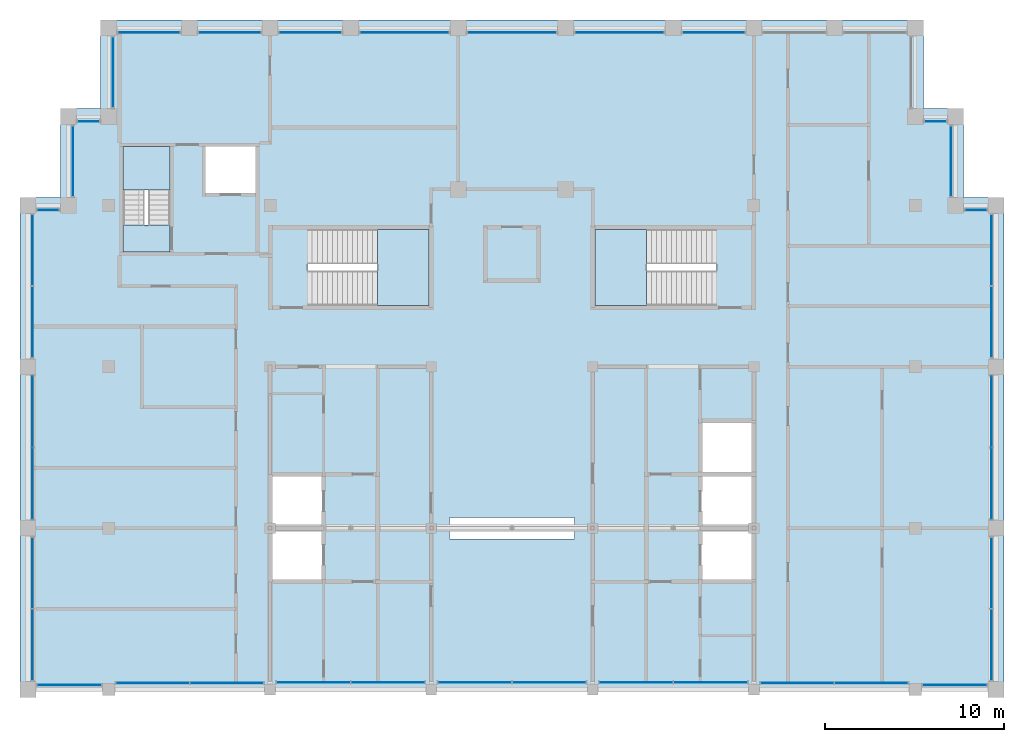
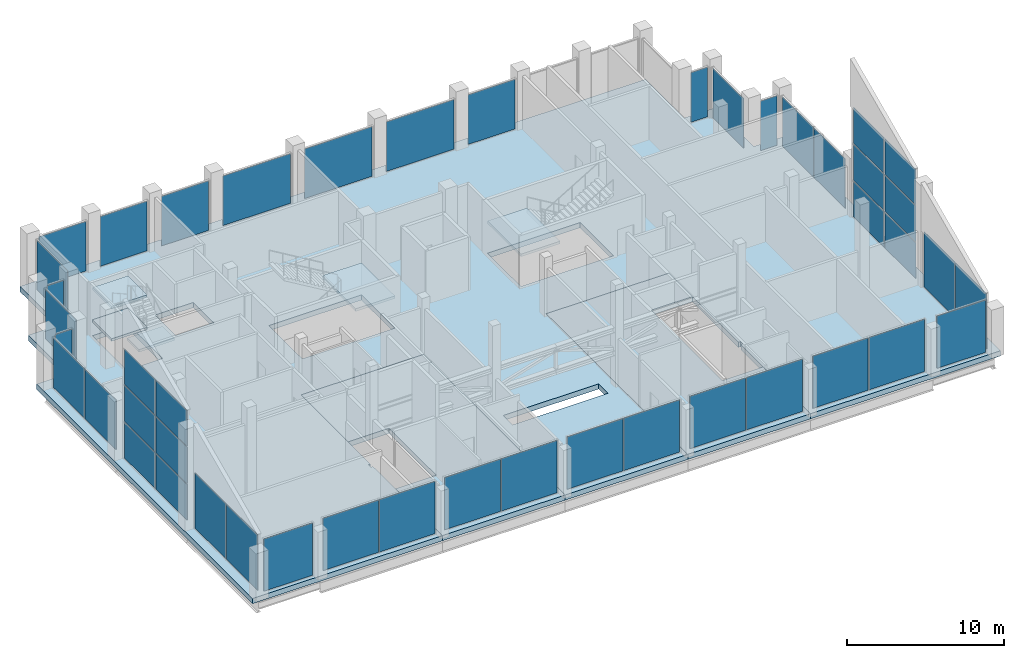
# One storey, part 9 of 14: 46 plates, 8 slabs, 30 elements without a shape of their own.
"""IFC4 building model written with IfcOpenShell, lengths in metres."""

from ifc_helpers import new_model, si_unit, direction, frame, origin, origin_2d, place, context, subcontext, project, spatial, polyline, rectangle, outline, extrude, material, layer, layer_set, type_object, element, aggregate, save


model = new_model("IFC4")

# Units and contexts
model_context = context("Model", 3, precision=1e-05, world=origin(), true_north=direction((0.0, 1.0)))
body_context = subcontext(model_context, "Body", "Model", "MODEL_VIEW")
ifc_project = project(units=[si_unit("LENGTHUNIT", "METRE"), si_unit("AREAUNIT", "SQUARE_METRE"), si_unit("VOLUMEUNIT", "CUBIC_METRE"), si_unit("PLANEANGLEUNIT", "RADIAN"), si_unit("MASSUNIT", "GRAM", prefix="KILO")], contexts=[model_context])

# Site, building, storey
site_placement = place(None, origin())
site = spatial("IfcSite", under=ifc_project, at=site_placement, CompositionType="ELEMENT")
building_placement = place(site_placement, origin())
building = spatial("IfcBuilding", under=site, at=building_placement, Name="Corbelhall Arena Tower", CompositionType="ELEMENT")
storey_placement = place(building_placement, frame((0.0, 0.0, 376.0)))
storey = spatial("IfcBuildingStorey", under=building, at=storey_placement, Name="L81", CompositionType="ELEMENT", Elevation=376.0)

# Curtain wall, plate
ifc_material_1 = material(Name="Aluminium black anodised", Category="aluminium")
ifc_layer_1 = layer(ifc_material_1, 0.179931640625)
ifc_layer_set_1 = layer_set([ifc_layer_1], Name="EV-CW3 Crown glazing")
curtain_wall_type = type_object("IfcCurtainWallType", Name="EV-CW3 Crown glazing", PredefinedType="NOTDEFINED", material=ifc_layer_set_1)
curtain_wall_1_placement = place(storey_placement, origin())
curtain_wall_1 = element("IfcCurtainWall", 1, at=curtain_wall_1_placement, inside=storey, type_object=curtain_wall_type, Name="Curtain wall CW3", PredefinedType="NOTDEFINED")
ifc_material_2 = material(Name="Glass dark tinted laminated", Category="glass")
ifc_layer_2 = layer(ifc_material_2, 0.028076171875)
ifc_layer_set_2 = layer_set([ifc_layer_2], Name="EV-CW3-PANEL")
plate_type = type_object("IfcPlateType", Name="EV-CW3-PANEL", PredefinedType="CURTAIN_PANEL", material=ifc_layer_set_2)
plate_1_placement = place(storey_placement, frame((-24.5, 20.47509765625, 0.074951171875), z_axis=(0.0, 0.0, 1.0), x_axis=(0.0, -1.0, 0.0)))
plate_1 = element("IfcPlate", 2, at=plate_1_placement, type_object=plate_type, Name="CW3 panel 1.1", PredefinedType="CURTAIN_PANEL", context=body_context, shape_type="SweptSolid", body=[
    extrude(rectangle(XDim=3.89990234375, YDim=0.028076171875, at=origin_2d()), origin(), (0.0, 0.0, 1.0), 3.849609375),
])
aggregate(curtain_wall_1, [plate_1])

curtain_wall_2_placement = place(storey_placement, origin())
curtain_wall_2 = element("IfcCurtainWall", 3, at=curtain_wall_2_placement, inside=storey, type_object=curtain_wall_type, Name="Curtain wall CW3B", PredefinedType="NOTDEFINED")
plate_2_placement = place(storey_placement, frame((-25.875, 17.75, 0.074951171875), z_axis=(0.0, 0.0, 1.0), x_axis=(-1.0, 0.0, 0.0)))
plate_2 = element("IfcPlate", 4, at=plate_2_placement, type_object=plate_type, Name="CW3B panel 1.1", PredefinedType="CURTAIN_PANEL", context=body_context, shape_type="SweptSolid", body=[
    extrude(rectangle(XDim=1.199951171875, YDim=0.028076171875, at=origin_2d()), origin(), (0.0, 0.0, 1.0), 3.849609375),
])
aggregate(curtain_wall_2, [plate_2])

# Curtain wall, plates
curtain_wall_3_placement = place(storey_placement, origin())
curtain_wall_3 = element("IfcCurtainWall", 5, at=curtain_wall_3_placement, inside=storey, type_object=curtain_wall_type, Name="Curtain wall CW3", PredefinedType="NOTDEFINED")
plate_3_placement = place(storey_placement, frame((-26.75, 15.50634765625, 0.074951171875), z_axis=(0.0, 0.0, 1.0), x_axis=(0.0, -1.0, 0.0)))
plate_3 = element("IfcPlate", 6, at=plate_3_placement, type_object=plate_type, Name="CW3 panel 1.1", PredefinedType="CURTAIN_PANEL", context=body_context, shape_type="SweptSolid", body=[
    extrude(rectangle(XDim=3.9375, YDim=0.028076171875, at=origin_2d()), origin(), (0.0, 0.0, 1.0), 3.849609375),
])
plate_4_placement = place(storey_placement, frame((-26.75, 11.49365234375, 0.074951171875), z_axis=(0.0, 0.0, 1.0), x_axis=(0.0, -1.0, 0.0)))
plate_4 = element("IfcPlate", 7, at=plate_4_placement, type_object=plate_type, Name="CW3 panel 2.1", PredefinedType="CURTAIN_PANEL", context=body_context, shape_type="SweptSolid", body=[
    extrude(rectangle(XDim=3.9375, YDim=0.028076171875, at=origin_2d()), origin(), (0.0, 0.0, 1.0), 3.849609375),
])
aggregate(curtain_wall_3, [plate_3, plate_4])

curtain_wall_4_placement = place(storey_placement, origin())
curtain_wall_4 = element("IfcCurtainWall", 8, at=curtain_wall_4_placement, inside=storey, type_object=curtain_wall_type, Name="Curtain wall CW3G", PredefinedType="NOTDEFINED")
plate_5_placement = place(storey_placement, frame((-26.75, 6.50634765625, 0.074951171875), z_axis=(0.0, 0.0, 1.0), x_axis=(0.0, -1.0, 0.0)))
plate_5 = element("IfcPlate", 9, at=plate_5_placement, type_object=plate_type, Name="CW3G panel 1.1", PredefinedType="CURTAIN_PANEL", context=body_context, shape_type="SweptSolid", body=[
    extrude(rectangle(XDim=3.9375, YDim=0.028076171875, at=origin_2d()), origin(), (0.0, 0.0, 1.0), 2.76513671875),
])
plate_6_placement = place(storey_placement, frame((-26.75, 6.50634765625, 2.9150390625), z_axis=(0.0, 0.0, 1.0), x_axis=(0.0, -1.0, 0.0)))
plate_6 = element("IfcPlate", 10, at=plate_6_placement, type_object=plate_type, Name="CW3G panel 1.2", PredefinedType="CURTAIN_PANEL", context=body_context, shape_type="SweptSolid", body=[
    extrude(rectangle(XDim=3.9375, YDim=0.028076171875, at=origin_2d()), origin(), (0.0, 0.0, 1.0), 2.802734375),
])
plate_7_placement = place(storey_placement, frame((-26.75, 6.50634765625, 5.792724609375), z_axis=(0.0, 0.0, 1.0), x_axis=(0.0, -1.0, 0.0)))
plate_7 = element("IfcPlate", 11, at=plate_7_placement, type_object=plate_type, Name="CW3G panel 1.3", PredefinedType="CURTAIN_PANEL", context=body_context, shape_type="SweptSolid", body=[
    extrude(rectangle(XDim=3.9375, YDim=0.028076171875, at=origin_2d()), origin(), (0.0, 0.0, 1.0), 2.76513671875),
])
plate_8_placement = place(storey_placement, frame((-26.75, 2.49365234375, 0.074951171875), z_axis=(0.0, 0.0, 1.0), x_axis=(0.0, -1.0, 0.0)))
plate_8 = element("IfcPlate", 12, at=plate_8_placement, type_object=plate_type, Name="CW3G panel 2.1", PredefinedType="CURTAIN_PANEL", context=body_context, shape_type="SweptSolid", body=[
    extrude(rectangle(XDim=3.9375, YDim=0.028076171875, at=origin_2d()), origin(), (0.0, 0.0, 1.0), 2.76513671875),
])
plate_9_placement = place(storey_placement, frame((-26.75, 2.49365234375, 2.9150390625), z_axis=(0.0, 0.0, 1.0), x_axis=(0.0, -1.0, 0.0)))
plate_9 = element("IfcPlate", 13, at=plate_9_placement, type_object=plate_type, Name="CW3G panel 2.2", PredefinedType="CURTAIN_PANEL", context=body_context, shape_type="SweptSolid", body=[
    extrude(rectangle(XDim=3.9375, YDim=0.028076171875, at=origin_2d()), origin(), (0.0, 0.0, 1.0), 2.802734375),
])
plate_10_placement = place(storey_placement, frame((-26.75, 2.49365234375, 5.792724609375), z_axis=(0.0, 0.0, 1.0), x_axis=(0.0, -1.0, 0.0)))
plate_10 = element("IfcPlate", 14, at=plate_10_placement, type_object=plate_type, Name="CW3G panel 2.3", PredefinedType="CURTAIN_PANEL", context=body_context, shape_type="SweptSolid", body=[
    extrude(rectangle(XDim=3.9375, YDim=0.028076171875, at=origin_2d()), origin(), (0.0, 0.0, 1.0), 2.76513671875),
])
aggregate(curtain_wall_4, [plate_5, plate_6, plate_7, plate_8, plate_9, plate_10])

curtain_wall_5_placement = place(storey_placement, origin())
curtain_wall_5 = element("IfcCurtainWall", 15, at=curtain_wall_5_placement, inside=storey, type_object=curtain_wall_type, Name="Curtain wall CW3F", PredefinedType="NOTDEFINED")
plate_11_placement = place(storey_placement, frame((-26.75, -2.49365234375, 0.0751953125), z_axis=(0.0, 0.0, 1.0), x_axis=(0.0, -1.0, 0.0)))
plate_11 = element("IfcPlate", 16, at=plate_11_placement, type_object=plate_type, Name="CW3F panel 1.1", PredefinedType="CURTAIN_PANEL", context=body_context, shape_type="SweptSolid", body=[
    extrude(rectangle(XDim=3.9375, YDim=0.028076171875, at=origin_2d()), origin(), (0.0, 0.0, 1.0), 4.289306640625),
])
plate_12_placement = place(storey_placement, frame((-26.75, -6.50634765625, 0.0751953125), z_axis=(0.0, 0.0, 1.0), x_axis=(0.0, -1.0, 0.0)))
plate_12 = element("IfcPlate", 17, at=plate_12_placement, type_object=plate_type, Name="CW3F panel 2.1", PredefinedType="CURTAIN_PANEL", context=body_context, shape_type="SweptSolid", body=[
    extrude(rectangle(XDim=3.9375, YDim=0.028076171875, at=origin_2d()), origin(), (0.0, 0.0, 1.0), 4.289306640625),
])
aggregate(curtain_wall_5, [plate_11, plate_12])

# Curtain wall, plate
curtain_wall_6_placement = place(storey_placement, origin())
curtain_wall_6 = element("IfcCurtainWall", 18, at=curtain_wall_6_placement, inside=storey, type_object=curtain_wall_type, Name="Curtain wall CW3E", PredefinedType="NOTDEFINED")
plate_13_placement = place(storey_placement, frame((-24.699951171875, -8.75, 0.0751953125), z_axis=(0.0, 0.0, 1.0), x_axis=(1.0, 0.0, 0.0)))
plate_13 = element("IfcPlate", 19, at=plate_13_placement, type_object=plate_type, Name="CW3E panel 1.1", PredefinedType="CURTAIN_PANEL", context=body_context, shape_type="SweptSolid", body=[
    extrude(rectangle(XDim=3.550048828125, YDim=0.028076171875, at=origin_2d()), origin(), (0.0, 0.0, 1.0), 4.056396484375),
])
aggregate(curtain_wall_6, [plate_13])

# Curtain wall, plates
curtain_wall_7_placement = place(storey_placement, origin())
curtain_wall_7 = element("IfcCurtainWall", 20, at=curtain_wall_7_placement, inside=storey, type_object=curtain_wall_type, Name="Curtain wall CW3H", PredefinedType="NOTDEFINED")
plate_14_placement = place(storey_placement, frame((-20.043701171875, -8.64990234375, 0.0751953125), z_axis=(0.0, 0.0, 1.0), x_axis=(1.0, 0.0, 0.0)))
plate_14 = element("IfcPlate", 21, at=plate_14_placement, type_object=plate_type, Name="CW3H panel 1.1", PredefinedType="CURTAIN_PANEL", context=body_context, shape_type="SweptSolid", body=[
    extrude(rectangle(XDim=4.0625, YDim=0.028076171875, at=origin_2d()), origin(), (0.0, 0.0, 1.0), 4.056396484375),
])
plate_15_placement = place(storey_placement, frame((-15.90625, -8.64990234375, 0.0751953125), z_axis=(0.0, 0.0, 1.0), x_axis=(1.0, 0.0, 0.0)))
plate_15 = element("IfcPlate", 22, at=plate_15_placement, type_object=plate_type, Name="CW3H panel 2.1", PredefinedType="CURTAIN_PANEL", context=body_context, shape_type="SweptSolid", body=[
    extrude(rectangle(XDim=4.0625, YDim=0.028076171875, at=origin_2d()), origin(), (0.0, 0.0, 1.0), 4.056396484375),
])
aggregate(curtain_wall_7, [plate_14, plate_15])

curtain_wall_8_placement = place(storey_placement, origin())
curtain_wall_8 = element("IfcCurtainWall", 23, at=curtain_wall_8_placement, inside=storey, type_object=curtain_wall_type, Name="Curtain wall CW3D", PredefinedType="NOTDEFINED")
plate_16_placement = place(storey_placement, frame((-11.081298828125, -8.60009765625, 0.0751953125), z_axis=(0.0, 0.0, 1.0), x_axis=(1.0, 0.0, 0.0)))
plate_16 = element("IfcPlate", 24, at=plate_16_placement, type_object=plate_type, Name="CW3D panel 1.1", PredefinedType="CURTAIN_PANEL", context=body_context, shape_type="SweptSolid", body=[
    extrude(rectangle(XDim=4.08740234375, YDim=0.028076171875, at=origin_2d()), origin(), (0.0, 0.0, 1.0), 4.056396484375),
])
plate_17_placement = place(storey_placement, frame((-6.918701171875, -8.60009765625, 0.0751953125), z_axis=(0.0, 0.0, 1.0), x_axis=(1.0, 0.0, 0.0)))
plate_17 = element("IfcPlate", 25, at=plate_17_placement, type_object=plate_type, Name="CW3D panel 2.1", PredefinedType="CURTAIN_PANEL", context=body_context, shape_type="SweptSolid", body=[
    extrude(rectangle(XDim=4.08740234375, YDim=0.028076171875, at=origin_2d()), origin(), (0.0, 0.0, 1.0), 4.056396484375),
])
aggregate(curtain_wall_8, [plate_16, plate_17])

curtain_wall_9_placement = place(storey_placement, origin())
curtain_wall_9 = element("IfcCurtainWall", 26, at=curtain_wall_9_placement, inside=storey, type_object=curtain_wall_type, Name="Curtain wall CW3D", PredefinedType="NOTDEFINED")
plate_18_placement = place(storey_placement, frame((-2.081298828125, -8.60009765625, 0.0751953125), z_axis=(0.0, 0.0, 1.0), x_axis=(1.0, 0.0, 0.0)))
plate_18 = element("IfcPlate", 27, at=plate_18_placement, type_object=plate_type, Name="CW3D panel 1.1", PredefinedType="CURTAIN_PANEL", context=body_context, shape_type="SweptSolid", body=[
    extrude(rectangle(XDim=4.08740234375, YDim=0.028076171875, at=origin_2d()), origin(), (0.0, 0.0, 1.0), 4.056396484375),
])
plate_19_placement = place(storey_placement, frame((2.081298828125, -8.60009765625, 0.0751953125), z_axis=(0.0, 0.0, 1.0), x_axis=(1.0, 0.0, 0.0)))
plate_19 = element("IfcPlate", 28, at=plate_19_placement, type_object=plate_type, Name="CW3D panel 2.1", PredefinedType="CURTAIN_PANEL", context=body_context, shape_type="SweptSolid", body=[
    extrude(rectangle(XDim=4.08740234375, YDim=0.028076171875, at=origin_2d()), origin(), (0.0, 0.0, 1.0), 4.056396484375),
])
aggregate(curtain_wall_9, [plate_18, plate_19])

curtain_wall_10_placement = place(storey_placement, origin())
curtain_wall_10 = element("IfcCurtainWall", 29, at=curtain_wall_10_placement, inside=storey, type_object=curtain_wall_type, Name="Curtain wall CW3D", PredefinedType="NOTDEFINED")
plate_20_placement = place(storey_placement, frame((6.918701171875, -8.60009765625, 0.0751953125), z_axis=(0.0, 0.0, 1.0), x_axis=(1.0, 0.0, 0.0)))
plate_20 = element("IfcPlate", 30, at=plate_20_placement, type_object=plate_type, Name="CW3D panel 1.1", PredefinedType="CURTAIN_PANEL", context=body_context, shape_type="SweptSolid", body=[
    extrude(rectangle(XDim=4.08740234375, YDim=0.028076171875, at=origin_2d()), origin(), (0.0, 0.0, 1.0), 4.056396484375),
])
plate_21_placement = place(storey_placement, frame((11.081298828125, -8.60009765625, 0.0751953125), z_axis=(0.0, 0.0, 1.0), x_axis=(1.0, 0.0, 0.0)))
plate_21 = element("IfcPlate", 31, at=plate_21_placement, type_object=plate_type, Name="CW3D panel 2.1", PredefinedType="CURTAIN_PANEL", context=body_context, shape_type="SweptSolid", body=[
    extrude(rectangle(XDim=4.08740234375, YDim=0.028076171875, at=origin_2d()), origin(), (0.0, 0.0, 1.0), 4.056396484375),
])
aggregate(curtain_wall_10, [plate_20, plate_21])

curtain_wall_11_placement = place(storey_placement, origin())
curtain_wall_11 = element("IfcCurtainWall", 32, at=curtain_wall_11_placement, inside=storey, type_object=curtain_wall_type, Name="Curtain wall CW3H", PredefinedType="NOTDEFINED")
plate_22_placement = place(storey_placement, frame((15.90625, -8.64990234375, 0.0751953125), z_axis=(0.0, 0.0, 1.0), x_axis=(1.0, 0.0, 0.0)))
plate_22 = element("IfcPlate", 33, at=plate_22_placement, type_object=plate_type, Name="CW3H panel 1.1", PredefinedType="CURTAIN_PANEL", context=body_context, shape_type="SweptSolid", body=[
    extrude(rectangle(XDim=4.0625, YDim=0.028076171875, at=origin_2d()), origin(), (0.0, 0.0, 1.0), 4.056396484375),
])
plate_23_placement = place(storey_placement, frame((20.043701171875, -8.64990234375, 0.0751953125), z_axis=(0.0, 0.0, 1.0), x_axis=(1.0, 0.0, 0.0)))
plate_23 = element("IfcPlate", 34, at=plate_23_placement, type_object=plate_type, Name="CW3H panel 2.1", PredefinedType="CURTAIN_PANEL", context=body_context, shape_type="SweptSolid", body=[
    extrude(rectangle(XDim=4.0625, YDim=0.028076171875, at=origin_2d()), origin(), (0.0, 0.0, 1.0), 4.056396484375),
])
aggregate(curtain_wall_11, [plate_22, plate_23])

# Curtain wall, plate
curtain_wall_12_placement = place(storey_placement, origin())
curtain_wall_12 = element("IfcCurtainWall", 35, at=curtain_wall_12_placement, inside=storey, type_object=curtain_wall_type, Name="Curtain wall CW3E", PredefinedType="NOTDEFINED")
plate_24_placement = place(storey_placement, frame((24.699951171875, -8.75, 0.0751953125), z_axis=(0.0, 0.0, 1.0), x_axis=(1.0, 0.0, 0.0)))
plate_24 = element("IfcPlate", 36, at=plate_24_placement, type_object=plate_type, Name="CW3E panel 1.1", PredefinedType="CURTAIN_PANEL", context=body_context, shape_type="SweptSolid", body=[
    extrude(rectangle(XDim=3.550048828125, YDim=0.028076171875, at=origin_2d()), origin(), (0.0, 0.0, 1.0), 4.056396484375),
])
aggregate(curtain_wall_12, [plate_24])

# Curtain wall, plates
curtain_wall_13_placement = place(storey_placement, origin())
curtain_wall_13 = element("IfcCurtainWall", 37, at=curtain_wall_13_placement, inside=storey, type_object=curtain_wall_type, Name="Curtain wall CW3F", PredefinedType="NOTDEFINED")
plate_25_placement = place(storey_placement, frame((26.75, -6.50634765625, 0.0751953125), z_axis=(0.0, 0.0, 1.0), x_axis=(0.0, 1.0, 0.0)))
plate_25 = element("IfcPlate", 38, at=plate_25_placement, type_object=plate_type, Name="CW3F panel 1.1", PredefinedType="CURTAIN_PANEL", context=body_context, shape_type="SweptSolid", body=[
    extrude(rectangle(XDim=3.9375, YDim=0.028076171875, at=origin_2d()), origin(), (0.0, 0.0, 1.0), 4.289306640625),
])
plate_26_placement = place(storey_placement, frame((26.75, -2.49365234375, 0.0751953125), z_axis=(0.0, 0.0, 1.0), x_axis=(0.0, 1.0, 0.0)))
plate_26 = element("IfcPlate", 39, at=plate_26_placement, type_object=plate_type, Name="CW3F panel 2.1", PredefinedType="CURTAIN_PANEL", context=body_context, shape_type="SweptSolid", body=[
    extrude(rectangle(XDim=3.9375, YDim=0.028076171875, at=origin_2d()), origin(), (0.0, 0.0, 1.0), 4.289306640625),
])
aggregate(curtain_wall_13, [plate_25, plate_26])

curtain_wall_14_placement = place(storey_placement, origin())
curtain_wall_14 = element("IfcCurtainWall", 40, at=curtain_wall_14_placement, inside=storey, type_object=curtain_wall_type, Name="Curtain wall CW3G", PredefinedType="NOTDEFINED")
plate_27_placement = place(storey_placement, frame((26.75, 2.49365234375, 0.074951171875), z_axis=(0.0, 0.0, 1.0), x_axis=(0.0, 1.0, 0.0)))
plate_27 = element("IfcPlate", 41, at=plate_27_placement, type_object=plate_type, Name="CW3G panel 1.1", PredefinedType="CURTAIN_PANEL", context=body_context, shape_type="SweptSolid", body=[
    extrude(rectangle(XDim=3.9375, YDim=0.028076171875, at=origin_2d()), origin(), (0.0, 0.0, 1.0), 2.76513671875),
])
plate_28_placement = place(storey_placement, frame((26.75, 2.49365234375, 2.9150390625), z_axis=(0.0, 0.0, 1.0), x_axis=(0.0, 1.0, 0.0)))
plate_28 = element("IfcPlate", 42, at=plate_28_placement, type_object=plate_type, Name="CW3G panel 1.2", PredefinedType="CURTAIN_PANEL", context=body_context, shape_type="SweptSolid", body=[
    extrude(rectangle(XDim=3.9375, YDim=0.028076171875, at=origin_2d()), origin(), (0.0, 0.0, 1.0), 2.802734375),
])
plate_29_placement = place(storey_placement, frame((26.75, 2.49365234375, 5.792724609375), z_axis=(0.0, 0.0, 1.0), x_axis=(0.0, 1.0, 0.0)))
plate_29 = element("IfcPlate", 43, at=plate_29_placement, type_object=plate_type, Name="CW3G panel 1.3", PredefinedType="CURTAIN_PANEL", context=body_context, shape_type="SweptSolid", body=[
    extrude(rectangle(XDim=3.9375, YDim=0.028076171875, at=origin_2d()), origin(), (0.0, 0.0, 1.0), 2.76513671875),
])
plate_30_placement = place(storey_placement, frame((26.75, 6.50634765625, 0.074951171875), z_axis=(0.0, 0.0, 1.0), x_axis=(0.0, 1.0, 0.0)))
plate_30 = element("IfcPlate", 44, at=plate_30_placement, type_object=plate_type, Name="CW3G panel 2.1", PredefinedType="CURTAIN_PANEL", context=body_context, shape_type="SweptSolid", body=[
    extrude(rectangle(XDim=3.9375, YDim=0.028076171875, at=origin_2d()), origin(), (0.0, 0.0, 1.0), 2.76513671875),
])
plate_31_placement = place(storey_placement, frame((26.75, 6.50634765625, 2.9150390625), z_axis=(0.0, 0.0, 1.0), x_axis=(0.0, 1.0, 0.0)))
plate_31 = element("IfcPlate", 45, at=plate_31_placement, type_object=plate_type, Name="CW3G panel 2.2", PredefinedType="CURTAIN_PANEL", context=body_context, shape_type="SweptSolid", body=[
    extrude(rectangle(XDim=3.9375, YDim=0.028076171875, at=origin_2d()), origin(), (0.0, 0.0, 1.0), 2.802734375),
])
plate_32_placement = place(storey_placement, frame((26.75, 6.50634765625, 5.792724609375), z_axis=(0.0, 0.0, 1.0), x_axis=(0.0, 1.0, 0.0)))
plate_32 = element("IfcPlate", 46, at=plate_32_placement, type_object=plate_type, Name="CW3G panel 2.3", PredefinedType="CURTAIN_PANEL", context=body_context, shape_type="SweptSolid", body=[
    extrude(rectangle(XDim=3.9375, YDim=0.028076171875, at=origin_2d()), origin(), (0.0, 0.0, 1.0), 2.76513671875),
])
aggregate(curtain_wall_14, [plate_27, plate_28, plate_29, plate_30, plate_31, plate_32])

curtain_wall_15_placement = place(storey_placement, origin())
curtain_wall_15 = element("IfcCurtainWall", 47, at=curtain_wall_15_placement, inside=storey, type_object=curtain_wall_type, Name="Curtain wall CW3", PredefinedType="NOTDEFINED")
plate_33_placement = place(storey_placement, frame((26.75, 11.49365234375, 0.074951171875), z_axis=(0.0, 0.0, 1.0), x_axis=(0.0, 1.0, 0.0)))
plate_33 = element("IfcPlate", 48, at=plate_33_placement, type_object=plate_type, Name="CW3 panel 1.1", PredefinedType="CURTAIN_PANEL", context=body_context, shape_type="SweptSolid", body=[
    extrude(rectangle(XDim=3.9375, YDim=0.028076171875, at=origin_2d()), origin(), (0.0, 0.0, 1.0), 3.849609375),
])
plate_34_placement = place(storey_placement, frame((26.75, 15.50634765625, 0.074951171875), z_axis=(0.0, 0.0, 1.0), x_axis=(0.0, 1.0, 0.0)))
plate_34 = element("IfcPlate", 49, at=plate_34_placement, type_object=plate_type, Name="CW3 panel 2.1", PredefinedType="CURTAIN_PANEL", context=body_context, shape_type="SweptSolid", body=[
    extrude(rectangle(XDim=3.9375, YDim=0.028076171875, at=origin_2d()), origin(), (0.0, 0.0, 1.0), 3.849609375),
])
aggregate(curtain_wall_15, [plate_33, plate_34])

# Curtain wall, plate
curtain_wall_16_placement = place(storey_placement, origin())
curtain_wall_16 = element("IfcCurtainWall", 50, at=curtain_wall_16_placement, inside=storey, type_object=curtain_wall_type, Name="Curtain wall CW3B", PredefinedType="NOTDEFINED")
plate_35_placement = place(storey_placement, frame((25.875, 17.75, 0.074951171875), z_axis=(0.0, 0.0, 1.0), x_axis=(-1.0, 0.0, 0.0)))
plate_35 = element("IfcPlate", 51, at=plate_35_placement, type_object=plate_type, Name="CW3B panel 1.1", PredefinedType="CURTAIN_PANEL", context=body_context, shape_type="SweptSolid", body=[
    extrude(rectangle(XDim=1.199951171875, YDim=0.028076171875, at=origin_2d()), origin(), (0.0, 0.0, 1.0), 3.849609375),
])
aggregate(curtain_wall_16, [plate_35])

curtain_wall_17_placement = place(storey_placement, origin())
curtain_wall_17 = element("IfcCurtainWall", 52, at=curtain_wall_17_placement, inside=storey, type_object=curtain_wall_type, Name="Curtain wall CW3", PredefinedType="NOTDEFINED")
plate_36_placement = place(storey_placement, frame((24.5, 20.47509765625, 0.074951171875), z_axis=(0.0, 0.0, 1.0), x_axis=(0.0, 1.0, 0.0)))
plate_36 = element("IfcPlate", 53, at=plate_36_placement, type_object=plate_type, Name="CW3 panel 1.1", PredefinedType="CURTAIN_PANEL", context=body_context, shape_type="SweptSolid", body=[
    extrude(rectangle(XDim=3.89990234375, YDim=0.028076171875, at=origin_2d()), origin(), (0.0, 0.0, 1.0), 3.849609375),
])
aggregate(curtain_wall_17, [plate_36])

curtain_wall_18_placement = place(storey_placement, origin())
curtain_wall_18 = element("IfcCurtainWall", 54, at=curtain_wall_18_placement, inside=storey, type_object=curtain_wall_type, Name="Curtain wall CW3B", PredefinedType="NOTDEFINED")
plate_37_placement = place(storey_placement, frame((23.625, 22.699951171875, 0.074951171875), z_axis=(0.0, 0.0, 1.0), x_axis=(-1.0, 0.0, 0.0)))
plate_37 = element("IfcPlate", 55, at=plate_37_placement, type_object=plate_type, Name="CW3B panel 1.1", PredefinedType="CURTAIN_PANEL", context=body_context, shape_type="SweptSolid", body=[
    extrude(rectangle(XDim=1.199951171875, YDim=0.028076171875, at=origin_2d()), origin(), (0.0, 0.0, 1.0), 3.849609375),
])
aggregate(curtain_wall_18, [plate_37])

curtain_wall_19_placement = place(storey_placement, origin())
curtain_wall_19 = element("IfcCurtainWall", 56, at=curtain_wall_19_placement, inside=storey, type_object=curtain_wall_type, Name="Curtain wall CW3A", PredefinedType="NOTDEFINED")
plate_38_placement = place(storey_placement, frame((11.25, 27.64990234375, 0.074951171875), z_axis=(0.0, 0.0, 1.0), x_axis=(-1.0, 0.0, 0.0)))
plate_38 = element("IfcPlate", 57, at=plate_38_placement, type_object=plate_type, Name="CW3A panel 1.1", PredefinedType="CURTAIN_PANEL", context=body_context, shape_type="SweptSolid", body=[
    extrude(rectangle(XDim=3.449951171875, YDim=0.028076171875, at=origin_2d()), origin(), (0.0, 0.0, 1.0), 3.849609375),
])
aggregate(curtain_wall_19, [plate_38])

curtain_wall_20_placement = place(storey_placement, origin())
curtain_wall_20 = element("IfcCurtainWall", 58, at=curtain_wall_20_placement, inside=storey, type_object=curtain_wall_type, Name="Curtain wall CW3C", PredefinedType="NOTDEFINED")
plate_39_placement = place(storey_placement, frame((6.0, 27.64990234375, 0.074951171875), z_axis=(0.0, 0.0, 1.0), x_axis=(-1.0, 0.0, 0.0)))
plate_39 = element("IfcPlate", 59, at=plate_39_placement, type_object=plate_type, Name="CW3C panel 1.1", PredefinedType="CURTAIN_PANEL", context=body_context, shape_type="SweptSolid", body=[
    extrude(rectangle(XDim=4.949951171875, YDim=0.028076171875, at=origin_2d()), origin(), (0.0, 0.0, 1.0), 3.849609375),
])
aggregate(curtain_wall_20, [plate_39])

curtain_wall_21_placement = place(storey_placement, origin())
curtain_wall_21 = element("IfcCurtainWall", 60, at=curtain_wall_21_placement, inside=storey, type_object=curtain_wall_type, Name="Curtain wall CW3C", PredefinedType="NOTDEFINED")
plate_40_placement = place(storey_placement, frame((0.0, 27.64990234375, 0.074951171875), z_axis=(0.0, 0.0, 1.0), x_axis=(-1.0, 0.0, 0.0)))
plate_40 = element("IfcPlate", 61, at=plate_40_placement, type_object=plate_type, Name="CW3C panel 1.1", PredefinedType="CURTAIN_PANEL", context=body_context, shape_type="SweptSolid", body=[
    extrude(rectangle(XDim=4.949951171875, YDim=0.028076171875, at=origin_2d()), origin(), (0.0, 0.0, 1.0), 3.849609375),
])
aggregate(curtain_wall_21, [plate_40])

curtain_wall_22_placement = place(storey_placement, origin())
curtain_wall_22 = element("IfcCurtainWall", 62, at=curtain_wall_22_placement, inside=storey, type_object=curtain_wall_type, Name="Curtain wall CW3C", PredefinedType="NOTDEFINED")
plate_41_placement = place(storey_placement, frame((-6.0, 27.64990234375, 0.074951171875), z_axis=(0.0, 0.0, 1.0), x_axis=(-1.0, 0.0, 0.0)))
plate_41 = element("IfcPlate", 63, at=plate_41_placement, type_object=plate_type, Name="CW3C panel 1.1", PredefinedType="CURTAIN_PANEL", context=body_context, shape_type="SweptSolid", body=[
    extrude(rectangle(XDim=4.949951171875, YDim=0.028076171875, at=origin_2d()), origin(), (0.0, 0.0, 1.0), 3.849609375),
])
aggregate(curtain_wall_22, [plate_41])

curtain_wall_23_placement = place(storey_placement, origin())
curtain_wall_23 = element("IfcCurtainWall", 64, at=curtain_wall_23_placement, inside=storey, type_object=curtain_wall_type, Name="Curtain wall CW3A", PredefinedType="NOTDEFINED")
plate_42_placement = place(storey_placement, frame((-11.25, 27.64990234375, 0.074951171875), z_axis=(0.0, 0.0, 1.0), x_axis=(-1.0, 0.0, 0.0)))
plate_42 = element("IfcPlate", 65, at=plate_42_placement, type_object=plate_type, Name="CW3A panel 1.1", PredefinedType="CURTAIN_PANEL", context=body_context, shape_type="SweptSolid", body=[
    extrude(rectangle(XDim=3.449951171875, YDim=0.028076171875, at=origin_2d()), origin(), (0.0, 0.0, 1.0), 3.849609375),
])
aggregate(curtain_wall_23, [plate_42])

curtain_wall_24_placement = place(storey_placement, origin())
curtain_wall_24 = element("IfcCurtainWall", 66, at=curtain_wall_24_placement, inside=storey, type_object=curtain_wall_type, Name="Curtain wall CW3A", PredefinedType="NOTDEFINED")
plate_43_placement = place(storey_placement, frame((-15.75, 27.64990234375, 0.074951171875), z_axis=(0.0, 0.0, 1.0), x_axis=(-1.0, 0.0, 0.0)))
plate_43 = element("IfcPlate", 67, at=plate_43_placement, type_object=plate_type, Name="CW3A panel 1.1", PredefinedType="CURTAIN_PANEL", context=body_context, shape_type="SweptSolid", body=[
    extrude(rectangle(XDim=3.449951171875, YDim=0.028076171875, at=origin_2d()), origin(), (0.0, 0.0, 1.0), 3.849609375),
])
aggregate(curtain_wall_24, [plate_43])

curtain_wall_25_placement = place(storey_placement, origin())
curtain_wall_25 = element("IfcCurtainWall", 68, at=curtain_wall_25_placement, inside=storey, type_object=curtain_wall_type, Name="Curtain wall CW3A", PredefinedType="NOTDEFINED")
plate_44_placement = place(storey_placement, frame((-20.25, 27.64990234375, 0.074951171875), z_axis=(0.0, 0.0, 1.0), x_axis=(-1.0, 0.0, 0.0)))
plate_44 = element("IfcPlate", 69, at=plate_44_placement, type_object=plate_type, Name="CW3A panel 1.1", PredefinedType="CURTAIN_PANEL", context=body_context, shape_type="SweptSolid", body=[
    extrude(rectangle(XDim=3.449951171875, YDim=0.028076171875, at=origin_2d()), origin(), (0.0, 0.0, 1.0), 3.849609375),
])
aggregate(curtain_wall_25, [plate_44])

curtain_wall_26_placement = place(storey_placement, origin())
curtain_wall_26 = element("IfcCurtainWall", 70, at=curtain_wall_26_placement, inside=storey, type_object=curtain_wall_type, Name="Curtain wall CW3", PredefinedType="NOTDEFINED")
plate_45_placement = place(storey_placement, frame((-22.25, 25.425048828125, 0.074951171875), z_axis=(0.0, 0.0, 1.0), x_axis=(0.0, -1.0, 0.0)))
plate_45 = element("IfcPlate", 71, at=plate_45_placement, type_object=plate_type, Name="CW3 panel 1.1", PredefinedType="CURTAIN_PANEL", context=body_context, shape_type="SweptSolid", body=[
    extrude(rectangle(XDim=3.89990234375, YDim=0.028076171875, at=origin_2d()), origin(), (0.0, 0.0, 1.0), 3.849609375),
])
aggregate(curtain_wall_26, [plate_45])

curtain_wall_27_placement = place(storey_placement, origin())
curtain_wall_27 = element("IfcCurtainWall", 72, at=curtain_wall_27_placement, inside=storey, type_object=curtain_wall_type, Name="Curtain wall CW3B", PredefinedType="NOTDEFINED")
plate_46_placement = place(storey_placement, frame((-23.625, 22.699951171875, 0.074951171875), z_axis=(0.0, 0.0, 1.0), x_axis=(-1.0, 0.0, 0.0)))
plate_46 = element("IfcPlate", 73, at=plate_46_placement, type_object=plate_type, Name="CW3B panel 1.1", PredefinedType="CURTAIN_PANEL", context=body_context, shape_type="SweptSolid", body=[
    extrude(rectangle(XDim=1.199951171875, YDim=0.028076171875, at=origin_2d()), origin(), (0.0, 0.0, 1.0), 3.849609375),
])
aggregate(curtain_wall_27, [plate_46])

# Slabs
ifc_material_3 = material(Name="Concrete C40/50", Category="concrete")
ifc_layer_3 = layer(ifc_material_3, 0.300048828125)
ifc_layer_set_3 = layer_set([ifc_layer_3], Name="IN-SL-CORE")
slab_type_1 = type_object("IfcSlabType", Name="IN-SL-CORE", PredefinedType="FLOOR", material=ifc_layer_set_3)
slab_1_placement = place(storey_placement, frame((0.0, 0.0, -0.400390625)))
element("IfcSlab", 74, at=slab_1_placement, inside=storey, type_object=slab_type_1, Name="Core floor W", PredefinedType="FLOOR", context=body_context, shape_type="SweptSolid", body=[
    extrude(outline(polyline([(-4.5, 9.0), (-13.5, 9.0), (-13.5, 3.0), (-10.5, 3.0), (-10.5, 0.0), (-10.5, -3.0), (-13.5, -3.0), (-13.5, -9.0), (-4.5, -9.0), (-4.5, 9.0)])), origin(), (0.0, 0.0, 1.0), 0.400390625),
])
slab_2_placement = place(storey_placement, frame((0.0, 0.0, -0.400390625)))
element("IfcSlab", 75, at=slab_2_placement, inside=storey, type_object=slab_type_1, Name="Core floor E", PredefinedType="FLOOR", context=body_context, shape_type="SweptSolid", body=[
    extrude(outline(polyline([(4.5, 9.0), (4.5, -9.0), (13.5, -9.0), (13.5, -3.0), (10.5, -3.0), (10.5, 0.0), (10.5, 3.0), (10.5, 6.0), (13.5, 6.0), (13.5, 9.0), (4.5, 9.0)])), origin(), (0.0, 0.0, 1.0), 0.400390625),
])

# Stair, slab
stair_type = type_object("IfcStairType", Name="IN-ST-TOWER", PredefinedType="HALF_TURN_STAIR", material=ifc_material_3)
stair_1_placement = place(storey_placement, origin())
stair_1 = element("IfcStair", 76, at=stair_1_placement, inside=storey, type_object=stair_type, Name="L81 Exit stair ST1", PredefinedType="HALF_TURN_STAIR")
ifc_layer_4 = layer(ifc_material_3, 0.199951171875)
ifc_layer_set_4 = layer_set([ifc_layer_4], Name="IN-SL-LANDING")
slab_type_2 = type_object("IfcSlabType", Name="IN-SL-LANDING", PredefinedType="LANDING", material=ifc_layer_set_4)
slab_3_placement = place(storey_placement, frame((0.0, 0.0, 2.300048828125)))
slab_3 = element("IfcSlab", 77, at=slab_3_placement, type_object=slab_type_2, Name="ST1 landing 1", PredefinedType="LANDING", context=body_context, shape_type="SweptSolid", body=[
    extrude(outline(polyline([(-7.5048828125, 12.425048828125), (-4.625, 12.425048828125), (-4.625, 16.675048828125), (-7.5048828125, 16.675048828125), (-7.5048828125, 12.425048828125)])), origin(), (0.0, 0.0, 1.0), 0.199951171875),
])
aggregate(stair_1, [slab_3])

stair_2_placement = place(storey_placement, origin())
stair_2 = element("IfcStair", 78, at=stair_2_placement, inside=storey, type_object=stair_type, Name="L81 Exit stair ST3", PredefinedType="HALF_TURN_STAIR")
slab_4_placement = place(storey_placement, frame((0.0, 0.0, 2.300048828125)))
slab_4 = element("IfcSlab", 79, at=slab_4_placement, type_object=slab_type_2, Name="ST3 landing 1", PredefinedType="LANDING", context=body_context, shape_type="SweptSolid", body=[
    extrude(outline(polyline([(7.5048828125, 16.675048828125), (4.625, 16.675048828125), (4.625, 12.425048828125), (7.5048828125, 12.425048828125), (7.5048828125, 16.675048828125)])), origin(), (0.0, 0.0, 1.0), 0.199951171875),
])
aggregate(stair_2, [slab_4])

# Stair, slabs
stair_3_placement = place(storey_placement, origin())
stair_3 = element("IfcStair", 80, at=stair_3_placement, inside=storey, type_object=stair_type, Name="L81 Exit stair ST5", PredefinedType="HALF_TURN_STAIR")
slab_5_placement = place(storey_placement, frame((0.0, 0.0, 1.050048828125)))
slab_5 = element("IfcSlab", 81, at=slab_5_placement, type_object=slab_type_2, Name="ST5 landing 1", PredefinedType="LANDING", context=body_context, shape_type="SweptSolid", body=[
    extrude(outline(polyline([(-19.094970703125, 18.860107421875), (-19.094970703125, 21.300048828125), (-21.695068359375, 21.300048828125), (-21.695068359375, 18.860107421875), (-19.094970703125, 18.860107421875)])), origin(), (0.0, 0.0, 1.0), 0.199951171875),
])
slab_6_placement = place(storey_placement, frame((0.0, 0.0, 2.300048828125)))
slab_6 = element("IfcSlab", 82, at=slab_6_placement, type_object=slab_type_2, Name="ST5 landing 2", PredefinedType="LANDING", context=body_context, shape_type="SweptSolid", body=[
    extrude(outline(polyline([(-19.094970703125, 15.39990234375), (-19.094970703125, 16.89990234375), (-21.695068359375, 16.89990234375), (-21.695068359375, 15.39990234375), (-19.094970703125, 15.39990234375)])), origin(), (0.0, 0.0, 1.0), 0.199951171875),
])
slab_7_placement = place(storey_placement, frame((0.0, 0.0, 3.550048828125)))
slab_7 = element("IfcSlab", 83, at=slab_7_placement, type_object=slab_type_2, Name="ST5 landing 3", PredefinedType="LANDING", context=body_context, shape_type="SweptSolid", body=[
    extrude(outline(polyline([(-19.094970703125, 18.860107421875), (-19.094970703125, 21.300048828125), (-21.695068359375, 21.300048828125), (-21.695068359375, 18.860107421875), (-19.094970703125, 18.860107421875)])), origin(), (0.0, 0.0, 1.0), 0.199951171875),
])
aggregate(stair_3, [slab_5, slab_6, slab_7])

# Slab
ifc_layer_5 = layer(ifc_material_3, 0.400390625)
ifc_layer_set_5 = layer_set([ifc_layer_5], Name="ST-SLAB-FLOOR-400")
slab_type_3 = type_object("IfcSlabType", Name="ST-SLAB-FLOOR-400", PredefinedType="FLOOR", material=ifc_layer_set_5)
slab_8_placement = place(storey_placement, frame((0.0, 0.0, -0.400390625)))
element("IfcSlab", 84, at=slab_8_placement, inside=storey, type_object=slab_type_3, Name="Floor slab L81 1", PredefinedType="FLOOR", context=body_context, shape_type="SweptSolid", body=[
    extrude(outline(polyline([(27.449951171875, -9.0), (27.449951171875, 18.449951171875), (25.199951171875, 18.449951171875), (25.199951171875, 23.39990234375), (22.949951171875, 23.39990234375), (22.949951171875, 28.35009765625), (-22.949951171875, 28.35009765625), (-22.949951171875, 23.39990234375), (-25.199951171875, 23.39990234375), (-25.199951171875, 18.449951171875), (-27.449951171875, 18.449951171875), (-27.449951171875, -9.0), (-13.5, -9.0), (-13.5, -0.151611328125), (-13.651611328125, -0.151611328125), (-13.651611328125, 0.151611328125), (-13.5, 0.151611328125), (-13.5, 9.0), (-4.5, 9.0), (-4.5, -9.0), (4.5, -9.0), (4.5, 9.0), (13.5, 9.0), (13.5, 0.151611328125), (13.651611328125, 0.151611328125), (13.651611328125, -0.151611328125), (13.5, -0.151611328125), (13.5, -9.0), (27.449951171875, -9.0)]), holes=[polyline([(-3.5, -0.60009765625), (3.5, -0.60009765625), (3.5, 0.60009765625), (-3.5, 0.60009765625), (-3.5, -0.60009765625)]), polyline([(-11.422119140625, 12.425048828125), (-4.625, 12.425048828125), (-4.625, 16.675048828125), (-11.422119140625, 16.675048828125), (-11.422119140625, 12.425048828125)]), polyline([(11.422119140625, 12.425048828125), (11.422119140625, 16.675048828125), (4.625, 16.675048828125), (4.625, 12.425048828125), (11.422119140625, 12.425048828125)]), polyline([(-21.695068359375, 21.300048828125), (-21.695068359375, 16.903076171875), (-19.094970703125, 16.903076171875), (-19.094970703125, 21.300048828125), (-21.695068359375, 21.300048828125)]), polyline([(-14.300048828125, 21.300048828125), (-17.10009765625, 21.300048828125), (-17.10009765625, 18.699951171875), (-14.300048828125, 18.699951171875), (-14.300048828125, 21.300048828125)])]), origin(), (0.0, 0.0, 1.0), 0.400390625),
])

save(model, "model.ifc")
